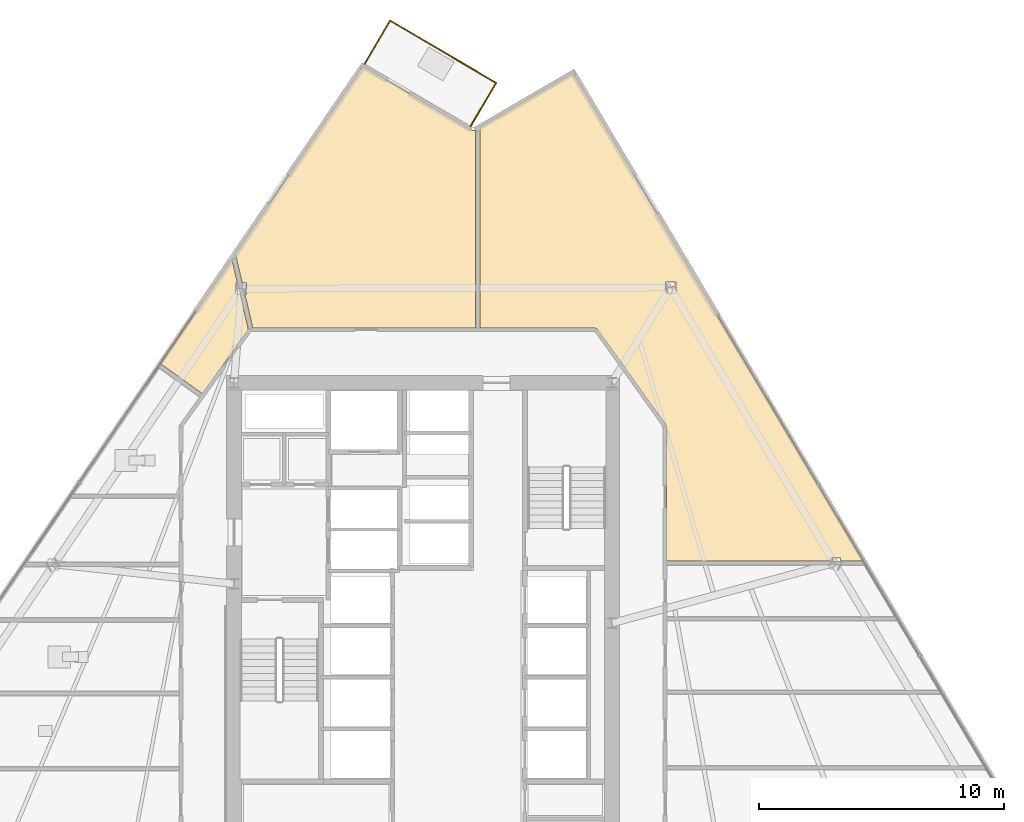
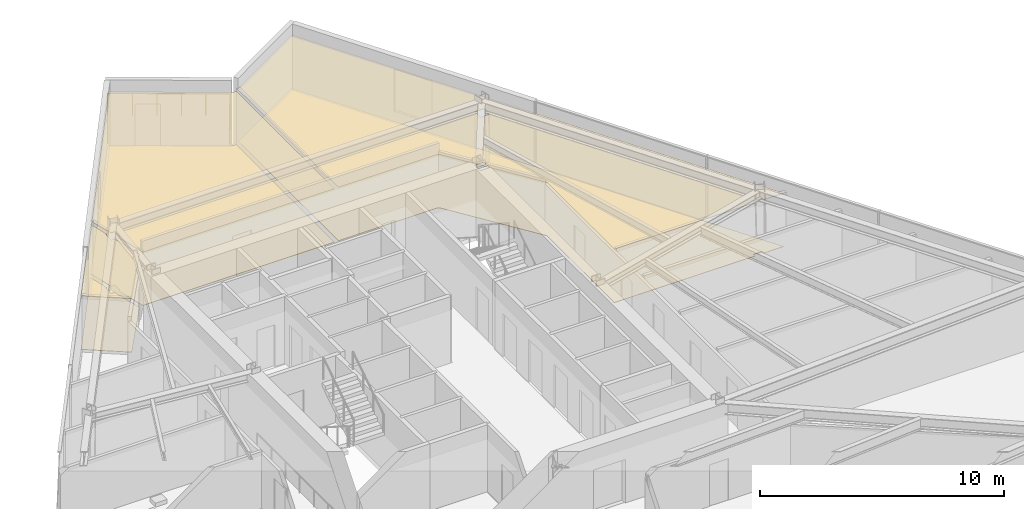
# One storey, part 14 of 15: 6 coverings, 3 railings.
"""IFC4 building model written with IfcOpenShell, lengths in metres."""

from ifc_helpers import new_model, si_unit, direction, frame, origin, origin_2d, place, context, subcontext, project, spatial, polyline, circle, outline, extrude, material, layer, layer_set, type_object, element, save


model = new_model("IFC4")

# Units and contexts
model_context = context("Model", 3, precision=1e-05, world=origin(), true_north=direction((0.0, 1.0)))
body_context = subcontext(model_context, "Body", "Model", "MODEL_VIEW")
ifc_project = project(units=[si_unit("LENGTHUNIT", "METRE"), si_unit("AREAUNIT", "SQUARE_METRE"), si_unit("VOLUMEUNIT", "CUBIC_METRE"), si_unit("PLANEANGLEUNIT", "RADIAN"), si_unit("MASSUNIT", "GRAM", prefix="KILO")], contexts=[model_context])

# Site, building, storey
site_placement = place(None, origin())
site = spatial("IfcSite", under=ifc_project, at=site_placement, CompositionType="ELEMENT")
building_placement = place(site_placement, origin())
building = spatial("IfcBuilding", under=site, at=building_placement, Name="Savorim Split Tower", CompositionType="ELEMENT")
storey_placement = place(building_placement, frame((0.0, 0.0, 93.300048828125)))
storey = spatial("IfcBuildingStorey", under=building, at=storey_placement, Name="L24", CompositionType="ELEMENT", Elevation=93.300048828125)

# Coverings
ifc_material_1 = material(Name="Mineral Fibre Acoustic Ceiling")
ifc_layer_1 = layer(ifc_material_1, 0.02490234375)
ifc_layer_set_1 = layer_set([ifc_layer_1], Name="COV-CEIL-25")
covering_type_1 = type_object("IfcCoveringType", Name="COV-CEIL-25", PredefinedType="CEILING", material=ifc_layer_set_1)
covering_1_placement = place(storey_placement, frame((0.0, 0.0, 2.669921875)))
element("IfcCovering", 1, at=covering_1_placement, inside=storey, type_object=covering_type_1, Name="L24 Co-Working Commons Acoustic Ceiling", PredefinedType="CEILING", context=body_context, shape_type="SweptSolid", body=[
    extrude(outline(polyline([(17.945068359375, 2.932861328125), (17.94677734375, 2.932861328125), (6.120849609375, 22.821044921875), (2.3330078125, 20.613525390625), (2.3330078125, 12.419921875), (7.0, 12.419921875), (7.01318359375, 12.41943359375), (7.0263671875, 12.41748046875), (7.039306640625, 12.414306640625), (7.052001953125, 12.409912109375), (7.06396484375, 12.404541015625), (7.075439453125, 12.39794921875), (7.086181640625, 12.39013671875), (7.096435546875, 12.381591796875), (7.105712890625, 12.3720703125), (7.11376953125, 12.361572265625), (9.893798828125, 8.4814453125), (9.901611328125, 8.46923828125), (9.908203125, 8.456298828125), (9.913330078125, 8.44287109375), (9.9169921875, 8.4287109375), (9.919189453125, 8.41455078125), (9.919921875, 8.39990234375), (9.919921875, 2.932861328125), (16.57470703125, 2.932861328125), (16.57470703125, 3.060302734375), (17.003662109375, 3.060302734375), (17.003662109375, 2.932861328125), (17.945068359375, 2.932861328125)]), holes=[polyline([(10.318359375, 14.303466796875), (9.889404296875, 14.303466796875), (9.889404296875, 13.8583984375), (10.318359375, 13.8583984375), (10.318359375, 14.303466796875)])]), origin(), (0.0, 0.0, 1.0), 0.025146484375),
])
covering_2_placement = place(storey_placement, frame((0.0, 0.0, 2.669921875)))
element("IfcCovering", 2, at=covering_2_placement, inside=storey, type_object=covering_type_1, Name="L24 Co-Working Commons Acoustic Ceiling", PredefinedType="CEILING", context=body_context, shape_type="SweptSolid", body=[
    extrude(outline(polyline([(2.0068359375, 20.472412109375), (1.99609375, 20.476806640625), (1.986083984375, 20.482177734375), (-2.447265625, 23.087646484375), (-7.6923828125, 15.377685546875), (-7.628662109375, 15.392578125), (-7.36083984375, 14.254638671875), (-7.191650390625, 14.254638671875), (-7.191650390625, 13.809814453125), (-7.256103515625, 13.809814453125), (-6.933837890625, 12.43896484375), (-6.929443359375, 12.419921875), (2.14306640625, 12.419921875), (2.14306640625, 20.502685546875), (2.107177734375, 20.48193359375), (2.096923828125, 20.4765625), (2.086181640625, 20.472412109375), (2.0751953125, 20.468994140625), (2.06396484375, 20.466796875), (2.052490234375, 20.4658203125), (2.040771484375, 20.4658203125), (2.029296875, 20.466796875), (2.01806640625, 20.468994140625), (2.0068359375, 20.472412109375)])), origin(), (0.0, 0.0, 1.0), 0.025146484375),
])
covering_3_placement = place(storey_placement, frame((0.0, 0.0, 2.669921875)))
element("IfcCovering", 3, at=covering_3_placement, inside=storey, type_object=covering_type_1, Name="L24 Quiet Study Room Acoustic Ceiling", PredefinedType="CEILING", context=body_context, shape_type="SweptSolid", body=[
    extrude(outline(polyline([(-8.985107421875, 9.749755859375), (-7.11376953125, 12.361572265625), (-7.111572265625, 12.364501953125), (-7.451416015625, 13.809814453125), (-7.62060546875, 13.809814453125), (-7.62060546875, 14.254638671875), (-7.55615234375, 14.254638671875), (-7.787353515625, 15.23779296875), (-10.68994140625, 10.97119140625), (-8.985107421875, 9.749755859375)])), origin(), (0.0, 0.0, 1.0), 0.025146484375),
])
ifc_material_2 = material(Name="Porcelain Stoneware Flooring", Category="masonry")
ifc_layer_2 = layer(ifc_material_2, 0.02001953125)
ifc_layer_set_2 = layer_set([ifc_layer_2], Name="COV-FLOR-20")
covering_type_2 = type_object("IfcCoveringType", Name="COV-FLOR-20", PredefinedType="FLOORING", material=ifc_layer_set_2)
covering_4_placement = place(storey_placement, origin())
element("IfcCovering", 4, at=covering_4_placement, inside=storey, type_object=covering_type_2, Name="L24 Co-Working Commons Porcelain Flooring", PredefinedType="FLOORING", context=body_context, shape_type="SweptSolid", body=[
    extrude(outline(polyline([(17.945068359375, 2.932861328125), (17.94677734375, 2.932861328125), (6.120849609375, 22.821044921875), (2.3330078125, 20.613525390625), (2.3330078125, 12.419921875), (7.0, 12.419921875), (7.01318359375, 12.41943359375), (7.0263671875, 12.41748046875), (7.039306640625, 12.414306640625), (7.052001953125, 12.409912109375), (7.06396484375, 12.404541015625), (7.075439453125, 12.39794921875), (7.086181640625, 12.39013671875), (7.096435546875, 12.381591796875), (7.105712890625, 12.3720703125), (7.11376953125, 12.361572265625), (9.893798828125, 8.4814453125), (9.901611328125, 8.46923828125), (9.908203125, 8.456298828125), (9.913330078125, 8.44287109375), (9.9169921875, 8.4287109375), (9.919189453125, 8.41455078125), (9.919921875, 8.39990234375), (9.919921875, 2.932861328125), (16.57470703125, 2.932861328125), (16.57470703125, 3.060302734375), (17.003662109375, 3.060302734375), (17.003662109375, 2.932861328125), (17.945068359375, 2.932861328125)]), holes=[polyline([(10.318359375, 14.303466796875), (9.889404296875, 14.303466796875), (9.889404296875, 13.8583984375), (10.318359375, 13.8583984375), (10.318359375, 14.303466796875)])]), origin(), (0.0, 0.0, 1.0), 0.02001953125),
])
covering_5_placement = place(storey_placement, origin())
element("IfcCovering", 5, at=covering_5_placement, inside=storey, type_object=covering_type_2, Name="L24 Co-Working Commons Porcelain Flooring", PredefinedType="FLOORING", context=body_context, shape_type="SweptSolid", body=[
    extrude(outline(polyline([(2.0068359375, 20.472412109375), (1.99609375, 20.476806640625), (1.986083984375, 20.482177734375), (-2.447265625, 23.087646484375), (-7.6923828125, 15.377685546875), (-7.628662109375, 15.392578125), (-7.36083984375, 14.254638671875), (-7.191650390625, 14.254638671875), (-7.191650390625, 13.809814453125), (-7.256103515625, 13.809814453125), (-6.933837890625, 12.43896484375), (-6.929443359375, 12.419921875), (2.14306640625, 12.419921875), (2.14306640625, 20.502685546875), (2.107177734375, 20.48193359375), (2.096923828125, 20.4765625), (2.086181640625, 20.472412109375), (2.0751953125, 20.468994140625), (2.06396484375, 20.466796875), (2.052490234375, 20.4658203125), (2.040771484375, 20.4658203125), (2.029296875, 20.466796875), (2.01806640625, 20.468994140625), (2.0068359375, 20.472412109375)])), origin(), (0.0, 0.0, 1.0), 0.02001953125),
])
covering_6_placement = place(storey_placement, origin())
element("IfcCovering", 6, at=covering_6_placement, inside=storey, type_object=covering_type_2, Name="L24 Quiet Study Room Porcelain Flooring", PredefinedType="FLOORING", context=body_context, shape_type="SweptSolid", body=[
    extrude(outline(polyline([(-8.985107421875, 9.749755859375), (-7.11376953125, 12.361572265625), (-7.111572265625, 12.364501953125), (-7.451416015625, 13.809814453125), (-7.62060546875, 13.809814453125), (-7.62060546875, 14.254638671875), (-7.55615234375, 14.254638671875), (-7.787353515625, 15.23779296875), (-10.68994140625, 10.97119140625), (-8.985107421875, 9.749755859375)])), origin(), (0.0, 0.0, 1.0), 0.02001953125),
])

# Railings
ifc_material_3 = material(Name="Galvanised Painted Steel Balustrade", Category="steel")
railing_type = type_object("IfcRailingType", Name="RLG-BAL-1100", PredefinedType="BALUSTRADE", material=ifc_material_3)
railing_1_placement = place(storey_placement, frame((-2.3798828125, 23.187255859375, 0.0)))
element("IfcRailing", 7, at=railing_1_placement, inside=storey, type_object=railing_type, Name="L24 Tree Balcony Guardrail N-1", PredefinedType="BALUSTRADE", context=body_context, shape_type="SweptSolid", body=[
    extrude(circle(Radius=0.02392578125, at=origin_2d()), frame((0.0, 0.0, 1.076171875), z_axis=(0.506733850669, 0.862102548764, 0.0), x_axis=(-0.862102548764, 0.506733850669, 0.0)), (0.0, 0.0, 1.0), 2.050048828125),
    extrude(circle(Radius=0.02099609375, at=origin_2d()), origin(), (0.0, 0.0, 1.0), 1.052001953125),
    extrude(circle(Radius=0.02099609375, at=origin_2d()), frame((0.51953125, 0.8837890625, 0.0)), (0.0, 0.0, 1.0), 1.052001953125),
    extrude(circle(Radius=0.02099609375, at=origin_2d()), frame((1.038818359375, 1.767333984375, 0.0)), (0.0, 0.0, 1.0), 1.052001953125),
])
railing_2_placement = place(storey_placement, frame((-1.341064453125, 24.95458984375, 0.0)))
element("IfcRailing", 8, at=railing_2_placement, inside=storey, type_object=railing_type, Name="L24 Tree Balcony Guardrail N-2", PredefinedType="BALUSTRADE", context=body_context, shape_type="SweptSolid", body=[
    extrude(circle(Radius=0.02392578125, at=origin_2d()), frame((0.0, 0.0, 1.076171875), z_axis=(0.862123150864, -0.506698798839, 0.0), x_axis=(0.506698798839, 0.862123150864, 0.0)), (0.0, 0.0, 1.0), 5.014404296875),
    extrude(circle(Radius=0.02099609375, at=origin_2d()), origin(), (0.0, 0.0, 1.0), 1.052001953125),
    extrude(circle(Radius=0.02099609375, at=origin_2d()), frame((0.864501953125, -0.508056640625, 0.0)), (0.0, 0.0, 1.0), 1.052001953125),
    extrude(circle(Radius=0.02099609375, at=origin_2d()), frame((1.729248046875, -1.016357421875, 0.0)), (0.0, 0.0, 1.0), 1.052001953125),
    extrude(circle(Radius=0.02099609375, at=origin_2d()), frame((2.59375, -1.5244140625, 0.0)), (0.0, 0.0, 1.0), 1.052001953125),
    extrude(circle(Radius=0.02099609375, at=origin_2d()), frame((3.45849609375, -2.03271484375, 0.0)), (0.0, 0.0, 1.0), 1.052001953125),
    extrude(circle(Radius=0.02099609375, at=origin_2d()), frame((4.322998046875, -2.540771484375, 0.0)), (0.0, 0.0, 1.0), 1.052001953125),
])
railing_3_placement = place(storey_placement, frame((2.98193359375, 22.413818359375, 0.0)))
element("IfcRailing", 9, at=railing_3_placement, inside=storey, type_object=railing_type, Name="L24 Tree Balcony Guardrail N-3", PredefinedType="BALUSTRADE", context=body_context, shape_type="SweptSolid", body=[
    extrude(circle(Radius=0.02392578125, at=origin_2d()), frame((0.0, 0.0, 1.076171875), z_axis=(-0.50664533146, -0.862154573211, 0.0), x_axis=(0.862154573211, -0.50664533146, 0.0)), (0.0, 0.0, 1.0), 2.0498046875),
    extrude(circle(Radius=0.02099609375, at=origin_2d()), origin(), (0.0, 0.0, 1.0), 1.052001953125),
    extrude(circle(Radius=0.02099609375, at=origin_2d()), frame((-0.519287109375, -0.8837890625, 0.0)), (0.0, 0.0, 1.0), 1.052001953125),
    extrude(circle(Radius=0.02099609375, at=origin_2d()), frame((-1.03857421875, -1.767333984375, 0.0)), (0.0, 0.0, 1.0), 1.052001953125),
])

save(model, "model.ifc")
